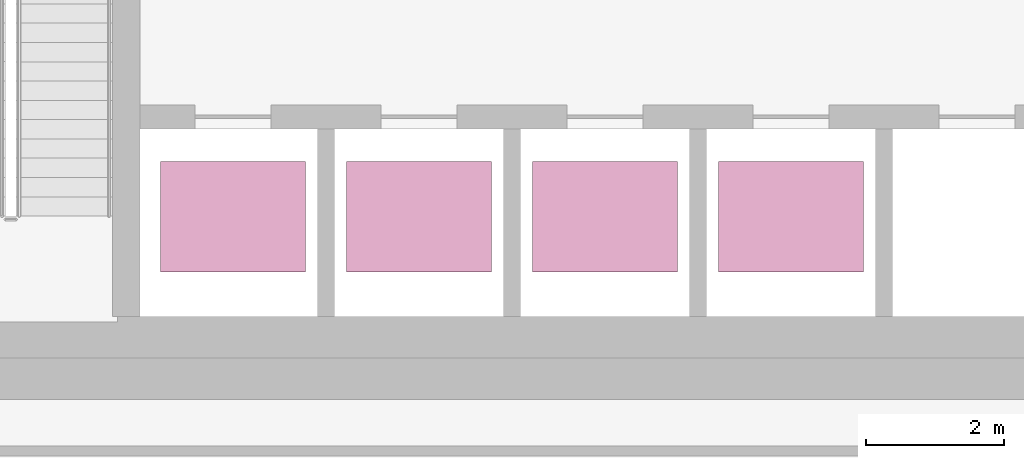
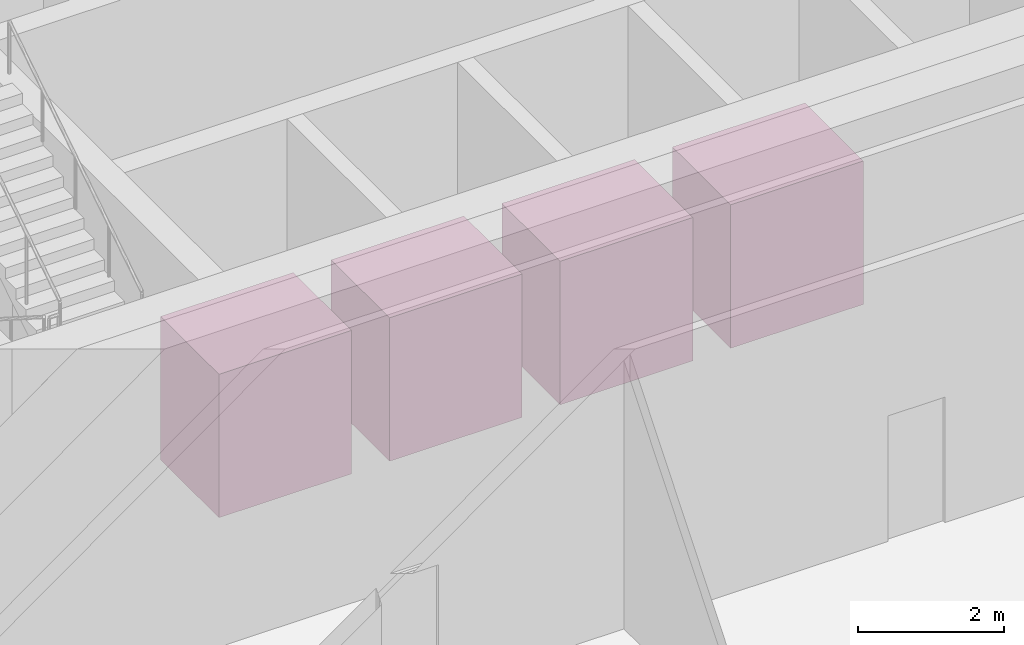
# One storey, part 20 of 20: 4 transport elements.
"""IFC4 building model written with IfcOpenShell, lengths in metres."""

from ifc_helpers import new_model, si_unit, direction, frame, origin, origin_2d, place, context, subcontext, project, spatial, rectangle, extrude, material, type_object, element, save


model = new_model("IFC4")

# Units and contexts
model_context = context("Model", 3, precision=1e-05, world=origin(), true_north=direction((0.0, 1.0)))
body_context = subcontext(model_context, "Body", "Model", "MODEL_VIEW")
ifc_project = project(units=[si_unit("LENGTHUNIT", "METRE"), si_unit("AREAUNIT", "SQUARE_METRE"), si_unit("VOLUMEUNIT", "CUBIC_METRE"), si_unit("PLANEANGLEUNIT", "RADIAN"), si_unit("MASSUNIT", "GRAM", prefix="KILO")], contexts=[model_context])

# Site, building, storey
site_placement = place(None, origin())
site = spatial("IfcSite", under=ifc_project, at=site_placement, CompositionType="ELEMENT")
building_placement = place(site_placement, origin())
building = spatial("IfcBuilding", under=site, at=building_placement, Name="Dongbaek Canopy Tower", CompositionType="ELEMENT")
storey_placement = place(building_placement, frame((0.0, 0.0, 289.199951171875)))
storey = spatial("IfcBuildingStorey", under=building, at=storey_placement, Name="L61", CompositionType="ELEMENT", Elevation=289.199951171875)

# Transport elements
ifc_material = material(Name="Stainless steel", Category="steel")
transport_element_type = type_object("IfcTransportElementType", Name="Lift car", PredefinedType="ELEVATOR", material=ifc_material)
for number, where, z_axis, x_axis, name in (
    (1, (-8.10009765625, -8.35009765625, 0.0), (0.0, 0.0, 1.0), (1.0, 0.0, 0.0), "Lift HR1"),
    (2, (-5.39990234375, -8.35009765625, 0.0), (0.0, 0.0, 1.0), (1.0, 0.0, 0.0), "Lift HR2"),
    (3, (-2.699951171875, -8.35009765625, 0.0), (0.0, 0.0, 1.0), (1.0, 0.0, 0.0), "Lift HR3"),
    (4, (0.0, -8.35009765625, 0.0), (0.0, 0.0, 1.0), (1.0, 0.0, 0.0), "Lift HR4"),
):
    element("IfcTransportElement", number, at=place(storey_placement, frame(where, z_axis=z_axis, x_axis=x_axis)), inside=storey, type_object=transport_element_type, Name=name, PredefinedType="ELEVATOR", context=body_context, shape_type="SweptSolid", body=[
        extrude(rectangle(XDim=2.10009765625, YDim=1.60009765625, at=origin_2d()), origin(), (0.0, 0.0, 1.0), 2.39990234375),
    ])

save(model, "model.ifc")
